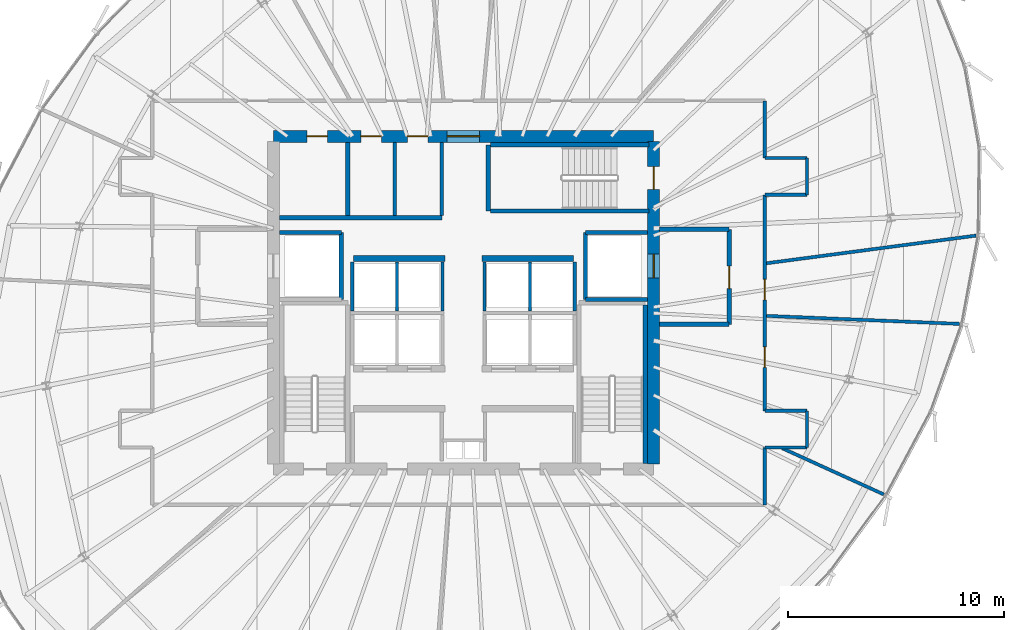
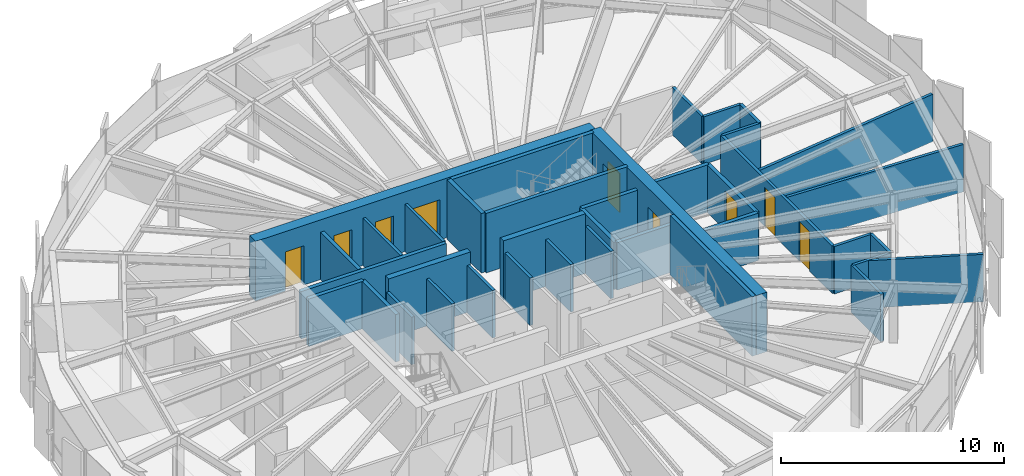
# One storey, part 33 of 37: 38 walls, 9 doors, 9 openings.
"""IFC4 building model written with IfcOpenShell, lengths in metres."""

import ifcopenshell
import ifcopenshell.guid

model = None  # the IFC model being written
_history = None  # IfcOwnerHistory: only IFC2X3 demands one
_inside = {}  # id of a spatial element -> (the spatial element, [elements in it])
_under = {}  # id of a project, library or spatial element -> (it, [spatial elements below it])
_declared = {}  # id of a project -> (the project, [libraries it declares])
_typed = {}  # id of a type object -> (the type object, [elements of that type])
_made_of = {}  # id of a material, layer set ... -> (it, [elements and type objects made of it])


def new_model(schema):
    """Start an empty IFC model of exactly this schema.

    Asked for "IFC4X3", IfcOpenShell would pick the latest addendum, in which some entities
    have other attributes; the version numbers below select the first issue.
    IFC2X3 requires an IfcOwnerHistory on every rooted entity: one is made here for all.
    """
    global model, _history
    if schema == "IFC4X3":
        model = ifcopenshell.file(schema_version=(4, 3, 0, 0))
    else:
        model = ifcopenshell.file(schema=schema)
    _inside.clear()
    _under.clear()
    _declared.clear()
    _typed.clear()
    _made_of.clear()
    _history = None
    if model.schema == "IFC2X3":
        org = make("IfcOrganization", Name="unknown")
        user = make(
            "IfcPersonAndOrganization",
            ThePerson=make("IfcPerson", FamilyName="unknown"),
            TheOrganization=org,
        )
        app = make(
            "IfcApplication",
            ApplicationDeveloper=org,
            Version="unknown",
            ApplicationFullName="unknown",
            ApplicationIdentifier="unknown",
        )
        _history = make(
            "IfcOwnerHistory",
            OwningUser=user,
            OwningApplication=app,
            ChangeAction="ADDED",
            CreationDate=0,
        )
    return model


def make(cls, **values):
    """One entity of the class cls with the attributes given. An attribute that is None is left unset."""
    return model.create_entity(
        cls, **{name: value for name, value in values.items() if value is not None}
    )


def rooted(cls, **values):
    """An entity with a GlobalId (a new one), such as an element, a storey or a relation."""
    return make(cls, GlobalId=ifcopenshell.guid.new(), OwnerHistory=_history, **values)


def si_unit(unit_type, name, prefix=None):
    """IfcSIUnit, for example si_unit("LENGTHUNIT", "METRE", prefix="MILLI")."""
    return make("IfcSIUnit", UnitType=unit_type, Prefix=prefix, Name=name)


def assignment(units):
    """IfcUnitAssignment: the units of a project."""
    return None if units is None else make("IfcUnitAssignment", Units=units)


def point(xyz):
    """IfcCartesianPoint."""
    return None if xyz is None else make("IfcCartesianPoint", Coordinates=xyz)


def direction(xyz):
    """IfcDirection."""
    return None if xyz is None else make("IfcDirection", DirectionRatios=xyz)


def frame(location, z_axis=None, x_axis=None):
    """IfcAxis2Placement3D, a coordinate frame: its origin and axes. An axis left out is left unset."""
    return make(
        "IfcAxis2Placement3D",
        Location=point(location),
        Axis=direction(z_axis),
        RefDirection=direction(x_axis),
    )


def frame_2d(location, x_axis=None):
    """IfcAxis2Placement2D, a coordinate frame in the plane: its origin and x axis."""
    return make(
        "IfcAxis2Placement2D", Location=point(location), RefDirection=direction(x_axis)
    )


def origin():
    """The frame at (0, 0, 0) with its axes left unset."""
    return frame((0.0, 0.0, 0.0))


def place(relative_to, where):
    """IfcLocalPlacement: puts the frame where relative to a parent placement (None: the world)."""
    return make(
        "IfcLocalPlacement", PlacementRelTo=relative_to, RelativePlacement=where
    )


def context(
    kind, dimensions, precision=None, world=None, true_north=None, identifier=None
):
    """IfcGeometricRepresentationContext, for example the 3D "Model" context."""
    return make(
        "IfcGeometricRepresentationContext",
        ContextIdentifier=identifier,
        ContextType=kind,
        CoordinateSpaceDimension=dimensions,
        Precision=precision,
        WorldCoordinateSystem=world,
        TrueNorth=true_north,
    )


def subcontext(parent, identifier, kind, view, scale=None):
    """IfcGeometricRepresentationSubContext, for example "Body" below "Model"."""
    return make(
        "IfcGeometricRepresentationSubContext",
        ContextIdentifier=identifier,
        ContextType=kind,
        ParentContext=parent,
        TargetScale=scale,
        TargetView=view,
    )


def project(units=None, contexts=None):
    """IfcProject with its units and contexts."""
    return rooted(
        "IfcProject",
        Name="project",
        RepresentationContexts=contexts,
        UnitsInContext=assignment(units),
    )


def spatial(cls, under=None, at=None, **own):
    """A site, building, storey or space (cls), placed at a placement, below another one or the project."""
    s = rooted(cls, ObjectPlacement=at, **own)
    if under is not None:
        _under.setdefault(under.id(), (under, []))[1].append(s)
    return s


def profile(cls, at=None, kind="AREA", **sizes):
    """A parametric profile (cls). Its sizes go by their IFC names, for example OverallWidth=200.0."""
    return make(cls, ProfileType=kind, Position=at, **sizes)


def rectangle(**sizes):
    """IfcRectangleProfileDef."""
    return profile("IfcRectangleProfileDef", **sizes)


def extrude(swept, where, along, depth):
    """IfcExtrudedAreaSolid: the profile swept, set in the frame where, extruded along a direction by depth."""
    return make(
        "IfcExtrudedAreaSolid",
        SweptArea=swept,
        Position=where,
        ExtrudedDirection=direction(along),
        Depth=depth,
    )


def shape(context_of_items, identifier, shape_type, items):
    """IfcShapeRepresentation: the items that make up one representation, for example the "Body"."""
    return make(
        "IfcShapeRepresentation",
        ContextOfItems=context_of_items,
        RepresentationIdentifier=identifier,
        RepresentationType=shape_type,
        Items=items,
    )


def source(mapping_origin, context_of_items, identifier, shape_type, items):
    """IfcRepresentationMap: a shape defined once, which mapped items show again and again."""
    return make(
        "IfcRepresentationMap",
        MappingOrigin=mapping_origin,
        MappedRepresentation=shape(context_of_items, identifier, shape_type, items),
    )


def transform(
    local_origin,
    x_axis=None,
    y_axis=None,
    z_axis=None,
    scale=None,
    scale2=None,
    scale3=None,
    uniform=True,
):
    """IfcCartesianTransformationOperator3D, or its non-uniform kind. x_axis, y_axis, z_axis: its Axis1, 2, 3."""
    if uniform:
        return make(
            "IfcCartesianTransformationOperator3D",
            Axis1=direction(x_axis),
            Axis2=direction(y_axis),
            LocalOrigin=point(local_origin),
            Scale=scale,
            Axis3=direction(z_axis),
        )
    return make(
        "IfcCartesianTransformationOperator3DnonUniform",
        Axis1=direction(x_axis),
        Axis2=direction(y_axis),
        LocalOrigin=point(local_origin),
        Scale=scale,
        Axis3=direction(z_axis),
        Scale2=scale2,
        Scale3=scale3,
    )


def mapped(mapping_source, mapping_target):
    """IfcMappedItem: shows the shape of a source again, moved by a transform."""
    return make(
        "IfcMappedItem", MappingSource=mapping_source, MappingTarget=mapping_target
    )


def material(Name=None, Category=None):
    """IfcMaterial."""
    return make("IfcMaterial", Name=Name, Category=Category)


def layer(
    of_material, thickness, ventilated=None, Name=None, Category=None, Priority=None
):
    """IfcMaterialLayer: one layer of a wall or slab, of a material (None: an air gap)."""
    return make(
        "IfcMaterialLayer",
        Material=of_material,
        LayerThickness=thickness,
        IsVentilated=ventilated,
        Name=Name,
        Category=Category,
        Priority=Priority,
    )


def layer_set(layers, Name=None):
    """IfcMaterialLayerSet."""
    return make("IfcMaterialLayerSet", MaterialLayers=layers, LayerSetName=Name)


def made_of(thing, what):
    """Note that an element or type object is made of a material, layer set ...; save() writes the relation."""
    if what is not None:
        _made_of.setdefault(what.id(), (what, []))[1].append(thing)
    return thing


def type_object(cls, material=None, **own):
    """A type object (cls), such as IfcWallType, which elements share."""
    return made_of(rooted(cls, **own), material)


def element(
    cls,
    number,
    at=None,
    inside=None,
    cuts=None,
    type_object=None,
    material=None,
    context=None,
    identifier="Body",
    shape_type=None,
    held_by="IfcProductDefinitionShape",
    body=None,
    shapes=None,
    **own,
):
    """One element of the class cls, such as IfcWall. Its Tag is "e" and its number.

    at: its placement. inside: the storey or other place that contains it. cuts: it is an
    opening in that element (IfcRelVoidsElement). A single representation is given by context,
    identifier, shape_type and body (its items); several are given by shapes. held_by: the class
    of the entity that holds the representations. save() writes the other relations.
    """
    e = rooted(cls, Tag="e%d" % number, ObjectPlacement=at, **own)
    if body is not None:
        shapes = [shape(context, identifier, shape_type, body)]
    if shapes is not None:
        e.Representation = make(held_by, Representations=shapes)
    if inside is not None:
        _inside.setdefault(inside.id(), (inside, []))[1].append(e)
    if cuts is not None:
        rooted(
            "IfcRelVoidsElement", RelatingBuildingElement=cuts, RelatedOpeningElement=e
        )
    if type_object is not None:
        _typed.setdefault(type_object.id(), (type_object, []))[1].append(e)
    return made_of(e, material)


def fill(opening, filler):
    """IfcRelFillsElement: the door or window that sits in an opening."""
    return rooted(
        "IfcRelFillsElement",
        RelatingOpeningElement=opening,
        RelatedBuildingElement=filler,
    )


def aggregate(whole, parts):
    """IfcRelAggregates: a whole, such as a stair, and the parts it consists of."""
    return rooted("IfcRelAggregates", RelatingObject=whole, RelatedObjects=parts)


def save(model, path):
    """Write the relations noted so far, then the file.

    IfcRelAggregates (storeys below a building ...), IfcRelContainedInSpatialStructure (elements
    in a storey), IfcRelDefinesByType, IfcRelAssociatesMaterial and IfcRelDeclares: one each for
    every whole, place, type object, material and project.
    """
    for whole, parts in _under.values():
        aggregate(whole, parts)
    for where, things in _inside.values():
        rooted(
            "IfcRelContainedInSpatialStructure",
            RelatedElements=things,
            RelatingStructure=where,
        )
    for kind, things in _typed.values():
        rooted("IfcRelDefinesByType", RelatedObjects=things, RelatingType=kind)
    for what, things in _made_of.values():
        rooted("IfcRelAssociatesMaterial", RelatedObjects=things, RelatingMaterial=what)
    for by, libraries in _declared.values():
        rooted("IfcRelDeclares", RelatingContext=by, RelatedDefinitions=libraries)
    model.write(path)


model = new_model("IFC4")

# Units and contexts
model_context = context("Model", 3, precision=1e-05, world=origin(), true_north=direction((0.0, 1.0)))
body_context = subcontext(model_context, "Body", "Model", "MODEL_VIEW")
ifc_project = project(units=[si_unit("LENGTHUNIT", "METRE"), si_unit("AREAUNIT", "SQUARE_METRE"), si_unit("VOLUMEUNIT", "CUBIC_METRE"), si_unit("PLANEANGLEUNIT", "RADIAN"), si_unit("MASSUNIT", "GRAM", prefix="KILO"), si_unit("THERMODYNAMICTEMPERATUREUNIT", "KELVIN")], contexts=[model_context])

# Site, building, storey
site_placement = place(None, origin())
site = spatial("IfcSite", under=ifc_project, at=site_placement, CompositionType="ELEMENT")
building_placement = place(site_placement, origin())
building = spatial("IfcBuilding", under=site, at=building_placement, Name="Kethvar Cultural Tower", CompositionType="ELEMENT")
storey_placement = place(building_placement, frame((0.0, 0.0, 200.89990234375)))
storey = spatial("IfcBuildingStorey", under=building, at=storey_placement, Name="L52", CompositionType="ELEMENT", Elevation=200.89990234375)

# Wall, openings, doors
ifc_material_1 = material(Name="Concrete C60/75", Category="concrete")
ifc_layer_1 = layer(ifc_material_1, 0.550048828125, Name="Concrete C60/75", Category="concrete")
ifc_layer_set_1 = layer_set([ifc_layer_1], Name="Concrete C60/75 (550 mm)")
wall_type_1 = type_object("IfcWallType", Name="WL-CORE-550", PredefinedType="SHEAR", material=ifc_layer_set_1)
wall_1_placement = place(storey_placement, frame((55.60009765625, 35.5, 0.0), z_axis=(0.0, 0.0, 1.0), x_axis=(-1.0, 0.0, 0.0)))
wall_1 = element("IfcWall", 1, at=wall_1_placement, inside=storey, type_object=wall_type_1, Name="L52 Core Shear Wall N", PredefinedType="SHEAR", context=body_context, shape_type="SweptSolid", body=[
    extrude(rectangle(XDim=17.60009765625, YDim=0.550048828125, at=frame_2d((8.800048828125, 0.0))), origin(), (0.0, 0.0, 1.0), 3.260009765625),
])
opening_1_placement = place(wall_1_placement, frame((8.050048828125, 0.0, 0.0)))
opening_1 = element("IfcOpeningElement", 2, at=opening_1_placement, cuts=wall_1, Name="Opening D-L52-LN", PredefinedType="OPENING", context=body_context, shape_type="SweptSolid", body=[
    extrude(rectangle(XDim=1.5, YDim=2.199951171875, at=frame_2d((0.75, 1.10009765625))), frame((0.0, 0.284912109375, 0.0), z_axis=(0.0, -1.0, 0.0), x_axis=(1.0, 0.0, 0.0)), (0.0, 0.0, 1.0), 0.570068359375),
])
opening_2_placement = place(wall_1_placement, frame((15.10009765625, 0.0, 0.0)))
opening_2 = element("IfcOpeningElement", 3, at=opening_2_placement, cuts=wall_1, Name="Opening D-L52-E1", PredefinedType="OPENING", context=body_context, shape_type="SweptSolid", body=[
    extrude(rectangle(XDim=0.949951171875, YDim=2.14990234375, at=frame_2d((0.47509765625, 1.074951171875))), frame((0.0, 0.284912109375, 0.0), z_axis=(0.0, -1.0, 0.0), x_axis=(1.0, 0.0, 0.0)), (0.0, 0.0, 1.0), 0.570068359375),
])
opening_3_placement = place(wall_1_placement, frame((12.60009765625, 0.0, 0.0)))
opening_3 = element("IfcOpeningElement", 4, at=opening_3_placement, cuts=wall_1, Name="Opening D-L52-W1", PredefinedType="OPENING", context=body_context, shape_type="SweptSolid", body=[
    extrude(rectangle(XDim=0.949951171875, YDim=2.14990234375, at=frame_2d((0.47509765625, 1.074951171875))), frame((0.0, 0.284912109375, 0.0), z_axis=(0.0, -1.0, 0.0), x_axis=(1.0, 0.0, 0.0)), (0.0, 0.0, 1.0), 0.570068359375),
])
opening_4_placement = place(wall_1_placement, frame((10.449951171875, 0.0, 0.0)))
opening_4 = element("IfcOpeningElement", 5, at=opening_4_placement, cuts=wall_1, Name="Opening D-L52-W2", PredefinedType="OPENING", context=body_context, shape_type="SweptSolid", body=[
    extrude(rectangle(XDim=0.949951171875, YDim=2.14990234375, at=frame_2d((0.47509765625, 1.074951171875))), frame((0.0, 0.284912109375, 0.0), z_axis=(0.0, -1.0, 0.0), x_axis=(1.0, 0.0, 0.0)), (0.0, 0.0, 1.0), 0.570068359375),
])
ifc_material_2 = material(Name="Architectural Oak Timber", Category="wood")
door_type_1 = type_object("IfcDoorType", Name="DR-DBL-FD60-1500", OperationType="DOUBLE_DOOR_SINGLE_SWING", PredefinedType="DOOR", material=ifc_material_2)
shared_shape_1 = source(origin(), body_context, "Body", "SweptSolid", [
    extrude(rectangle(XDim=1.5, YDim=2.199951171875, at=frame_2d((0.75, 1.10009765625))), frame((0.0, 0.02490234375, 0.0), z_axis=(0.0, -1.0, 0.0), x_axis=(1.0, 0.0, 0.0)), (0.0, 0.0, 1.0), 0.050048828125),
])
door_1_placement = place(opening_1_placement, origin())
door_1 = element("IfcDoor", 6, at=door_1_placement, inside=storey, type_object=door_type_1, Name="L52 Lift Lobby Concourse Door", OperationType="DOUBLE_DOOR_SINGLE_SWING", OverallHeight=2.199951171875, OverallWidth=1.5, PredefinedType="DOOR", context=body_context, shape_type="MappedRepresentation", body=[
    mapped(shared_shape_1, transform((0.0, 0.0, 0.0), scale=1.0)),
])
fill(opening_1, door_1)
door_type_2 = type_object("IfcDoorType", Name="DR-FD30-950", OperationType="NOTDEFINED", PredefinedType="DOOR", material=ifc_material_2)
shared_shape_2 = source(origin(), body_context, "Body", "SweptSolid", [
    extrude(rectangle(XDim=0.949951171875, YDim=2.14990234375, at=frame_2d((0.47509765625, 1.074951171875))), frame((0.0, 0.02490234375, 0.0), z_axis=(0.0, -1.0, 0.0), x_axis=(1.0, 0.0, 0.0)), (0.0, 0.0, 1.0), 0.050048828125),
])
door_2_placement = place(opening_2_placement, origin())
door_2 = element("IfcDoor", 7, at=door_2_placement, inside=storey, type_object=door_type_2, Name="L52 Electrical Switchgear Door", OperationType="SINGLE_SWING_RIGHT", OverallHeight=2.14990234375, OverallWidth=0.949951171875, PredefinedType="DOOR", context=body_context, shape_type="MappedRepresentation", body=[
    mapped(shared_shape_2, transform((0.0, 0.0, 0.0), scale=1.0)),
])
fill(opening_2, door_2)
door_3_placement = place(opening_3_placement, origin())
door_3 = element("IfcDoor", 8, at=door_3_placement, inside=storey, type_object=door_type_2, Name="L52 Accessible Washroom Door", OperationType="SINGLE_SWING_LEFT", OverallHeight=2.14990234375, OverallWidth=0.949951171875, PredefinedType="DOOR", context=body_context, shape_type="MappedRepresentation", body=[
    mapped(shared_shape_2, transform((0.0, 0.0, 0.0), scale=1.0)),
])
fill(opening_3, door_3)
door_4_placement = place(opening_4_placement, origin())
door_4 = element("IfcDoor", 9, at=door_4_placement, inside=storey, type_object=door_type_2, Name="L52 Public Washroom Door", OperationType="SINGLE_SWING_RIGHT", OverallHeight=2.14990234375, OverallWidth=0.949951171875, PredefinedType="DOOR", context=body_context, shape_type="MappedRepresentation", body=[
    mapped(shared_shape_2, transform((0.0, 0.0, 0.0), scale=1.0)),
])
fill(opening_4, door_4)

wall_2_placement = place(storey_placement, frame((55.60009765625, 20.340087890625, 0.0), z_axis=(0.0, 0.0, 1.0), x_axis=(0.0, 1.0, 0.0)))
wall_2 = element("IfcWall", 10, at=wall_2_placement, inside=storey, type_object=wall_type_1, Name="L52 Core Shear Wall E", PredefinedType="SHEAR", context=body_context, shape_type="SweptSolid", body=[
    extrude(rectangle(XDim=14.919921875, YDim=0.550048828125, at=frame_2d((7.4599609375, 0.0))), origin(), (0.0, 0.0, 1.0), 3.260009765625),
])
opening_5_placement = place(wall_2_placement, frame((12.7099609375, 0.0, 0.0)))
opening_5 = element("IfcOpeningElement", 11, at=opening_5_placement, cuts=wall_2, Name="Opening D-L52-S3", PredefinedType="OPENING", context=body_context, shape_type="SweptSolid", body=[
    extrude(rectangle(XDim=1.050048828125, YDim=2.14990234375, at=frame_2d((0.52490234375, 1.074951171875))), frame((0.0, 0.284912109375, 0.0), z_axis=(0.0, -1.0, 0.0), x_axis=(1.0, 0.0, 0.0)), (0.0, 0.0, 1.0), 0.570068359375),
])
opening_6_placement = place(wall_2_placement, frame((8.610107421875, 0.0, 0.0)))
opening_6 = element("IfcOpeningElement", 12, at=opening_6_placement, cuts=wall_2, Name="Opening LD-2", PredefinedType="OPENING", context=body_context, shape_type="SweptSolid", body=[
    extrude(rectangle(XDim=1.10009765625, YDim=2.199951171875, at=frame_2d((0.550048828125, 1.10009765625))), frame((0.0, 0.284912109375, 0.0), z_axis=(0.0, -1.0, 0.0), x_axis=(1.0, 0.0, 0.0)), (0.0, 0.0, 1.0), 0.570068359375),
])
ifc_material_3 = material(Name="Steel S355J2", Category="steel")
door_type_3 = type_object("IfcDoorType", Name="DR-FD60-1050", OperationType="NOTDEFINED", PredefinedType="DOOR", material=ifc_material_3)
shared_shape_3 = source(origin(), body_context, "Body", "SweptSolid", [
    extrude(rectangle(XDim=1.050048828125, YDim=2.14990234375, at=frame_2d((0.52490234375, 1.074951171875))), frame((0.0, 0.02490234375, 0.0), z_axis=(0.0, -1.0, 0.0), x_axis=(1.0, 0.0, 0.0)), (0.0, 0.0, 1.0), 0.050048828125),
])
door_5_placement = place(opening_5_placement, origin())
door_5 = element("IfcDoor", 13, at=door_5_placement, inside=storey, type_object=door_type_3, Name="L52 Exit Stair 3 Door", OperationType="SINGLE_SWING_LEFT", OverallHeight=2.14990234375, OverallWidth=1.050048828125, PredefinedType="DOOR", context=body_context, shape_type="MappedRepresentation", body=[
    mapped(shared_shape_3, transform((0.0, 0.0, 0.0), scale=1.0)),
])
fill(opening_5, door_5)
door_type_4 = type_object("IfcDoorType", Name="DR-LIFT-SLIDE-1100", OperationType="NOTDEFINED", PredefinedType="DOOR", material=ifc_material_3)
shared_shape_4 = source(origin(), body_context, "Body", "SweptSolid", [
    extrude(rectangle(XDim=1.10009765625, YDim=2.199951171875, at=frame_2d((0.550048828125, 1.10009765625))), frame((0.0, 0.02490234375, 0.0), z_axis=(0.0, -1.0, 0.0), x_axis=(1.0, 0.0, 0.0)), (0.0, 0.0, 1.0), 0.050048828125),
])
door_6_placement = place(opening_6_placement, origin())
door_6 = element("IfcDoor", 14, at=door_6_placement, inside=storey, type_object=door_type_4, Name="L52 Firefighting Lift Landing Door FFL-02", OperationType="SLIDING_TO_RIGHT", OverallHeight=2.199951171875, OverallWidth=1.10009765625, PredefinedType="DOOR", context=body_context, shape_type="MappedRepresentation", body=[
    mapped(shared_shape_4, transform((0.0, 0.0, 0.0), scale=1.0)),
])
fill(opening_6, door_6)

# Walls
ifc_material_4 = material(Name="Gypsum Fireboard Partition")
ifc_layer_2 = layer(ifc_material_4, 0.14990234375, Name="Gypsum Fireboard Partition")
ifc_layer_set_2 = layer_set([ifc_layer_2], Name="Gypsum Fireboard Partition (150 mm)")
wall_type_2 = type_object("IfcWallType", Name="WL-FIRE-150", PredefinedType="PARTITIONING", material=ifc_layer_set_2)
for number, where, z_axis, x_axis, name in (
    (15, (41.64990234375, 27.409912109375, 0.0), (0.0, 0.0, 1.0), (0.0, 1.0, 0.0), "L52 High-Rise Lift Shaft Outer Wall W"),
    (16, (43.72509765625, 27.409912109375, 0.0), (0.0, 0.0, 1.0), (0.0, 1.0, 0.0), "L52 High-Rise Lift Shaft Divider W"),
    (17, (45.824951171875, 27.409912109375, 0.0), (0.0, 0.0, 1.0), (0.0, 1.0, 0.0), "L52 High-Rise Lift Shaft Concourse Wall W"),
    (18, (47.77490234375, 27.409912109375, 0.0), (0.0, 0.0, 1.0), (0.0, 1.0, 0.0), "L52 High-Rise Lift Shaft Concourse Wall E"),
    (19, (49.875, 27.409912109375, 0.0), (0.0, 0.0, 1.0), (0.0, 1.0, 0.0), "L52 High-Rise Lift Shaft Divider E"),
    (20, (51.949951171875, 27.409912109375, 0.0), (0.0, 0.0, 1.0), (0.0, 1.0, 0.0), "L52 High-Rise Lift Shaft Outer Wall E"),
):
    element("IfcWall", number, at=place(storey_placement, frame(where, z_axis=z_axis, x_axis=x_axis)), inside=storey, type_object=wall_type_2, Name=name, PredefinedType="PARTITIONING", context=body_context, shape_type="SweptSolid", body=[
        extrude(rectangle(XDim=2.27001953125, YDim=0.14990234375, at=frame_2d((1.135009765625, 0.0))), origin(), (0.0, 0.0, 1.0), 2.59521484375),
    ])
wall_3_placement = place(storey_placement, frame((45.800048828125, 31.85009765625, 0.0), z_axis=(0.0, 0.0, 1.0), x_axis=(0.0, 1.0, 0.0)))
element("IfcWall", 21, at=wall_3_placement, inside=storey, type_object=wall_type_2, Name="L52 Sanitary Spine Wall", PredefinedType="PARTITIONING", context=body_context, shape_type="SweptSolid", body=[
    extrude(rectangle(XDim=3.364990234375, YDim=0.14990234375, at=frame_2d((1.6826171875, 0.0))), origin(), (0.0, 0.0, 1.0), 2.59521484375),
])
wall_4_placement = place(storey_placement, frame((60.75, 18.449951171875, 0.0), z_axis=(0.0, 0.0, 1.0), x_axis=(0.0, 1.0, 0.0)))
element("IfcWall", 22, at=wall_4_placement, inside=storey, type_object=wall_type_2, Name="L52 Corridor Rated Wall E1", PredefinedType="PARTITIONING", context=body_context, shape_type="SweptSolid", body=[
    extrude(rectangle(XDim=2.650146484375, YDim=0.14990234375, at=frame_2d((1.3251953125, 0.0))), origin(), (0.0, 0.0, 1.0), 2.59521484375),
])
wall_5_placement = place(storey_placement, frame((60.75, 21.10009765625, 0.0), z_axis=(0.0, 0.0, 1.0), x_axis=(1.0, 0.0, 0.0)))
element("IfcWall", 23, at=wall_5_placement, inside=storey, type_object=wall_type_2, Name="L52 Corridor Rated Wall ESB", PredefinedType="PARTITIONING", context=body_context, shape_type="SweptSolid", body=[
    extrude(rectangle(XDim=1.949951171875, YDim=0.14990234375, at=frame_2d((0.97509765625, 0.0))), origin(), (0.0, 0.0, 1.0), 2.59521484375),
])
wall_6_placement = place(storey_placement, frame((62.699951171875, 21.10009765625, 0.0), z_axis=(0.0, 0.0, 1.0), x_axis=(0.0, 1.0, 0.0)))
element("IfcWall", 24, at=wall_6_placement, inside=storey, type_object=wall_type_2, Name="L52 Corridor Rated Wall ES", PredefinedType="PARTITIONING", context=body_context, shape_type="SweptSolid", body=[
    extrude(rectangle(XDim=1.699951171875, YDim=0.14990234375, at=frame_2d((0.85009765625, 0.0))), origin(), (0.0, 0.0, 1.0), 2.59521484375),
])
wall_7_placement = place(storey_placement, frame((62.699951171875, 22.800048828125, 0.0), z_axis=(0.0, 0.0, 1.0), x_axis=(-1.0, 0.0, 0.0)))
element("IfcWall", 25, at=wall_7_placement, inside=storey, type_object=wall_type_2, Name="L52 Corridor Rated Wall EST", PredefinedType="PARTITIONING", context=body_context, shape_type="SweptSolid", body=[
    extrude(rectangle(XDim=1.949951171875, YDim=0.14990234375, at=frame_2d((0.97509765625, 0.0))), origin(), (0.0, 0.0, 1.0), 2.59521484375),
])

# Wall, openings, doors
wall_8_placement = place(storey_placement, frame((60.75, 22.800048828125, 0.0), z_axis=(0.0, 0.0, 1.0), x_axis=(0.0, 1.0, 0.0)))
wall_8 = element("IfcWall", 26, at=wall_8_placement, inside=storey, type_object=wall_type_2, Name="L52 Corridor Rated Wall EM", PredefinedType="PARTITIONING", context=body_context, shape_type="SweptSolid", body=[
    extrude(rectangle(XDim=10.0, YDim=0.14990234375, at=frame_2d((5.0, 0.0))), origin(), (0.0, 0.0, 1.0), 2.59521484375),
])
opening_7_placement = place(wall_8_placement, frame((2.01318359375, 0.0, 0.0)))
opening_7 = element("IfcOpeningElement", 27, at=opening_7_placement, cuts=wall_8, Name="Opening D-L52-03", PredefinedType="OPENING", context=body_context, shape_type="SweptSolid", body=[
    extrude(rectangle(XDim=0.949951171875, YDim=2.14990234375, at=frame_2d((0.47509765625, 1.074951171875))), frame((0.0, 0.0849609375, 0.0), z_axis=(0.0, -1.0, 0.0), x_axis=(1.0, 0.0, 0.0)), (0.0, 0.0, 1.0), 0.169921875),
])
opening_8_placement = place(wall_8_placement, frame((5.13427734375, 0.0, 0.0)))
opening_8 = element("IfcOpeningElement", 28, at=opening_8_placement, cuts=wall_8, Name="Opening D-L52-04", PredefinedType="OPENING", context=body_context, shape_type="SweptSolid", body=[
    extrude(rectangle(XDim=0.949951171875, YDim=2.14990234375, at=frame_2d((0.47509765625, 1.074951171875))), frame((0.0, 0.0849609375, 0.0), z_axis=(0.0, -1.0, 0.0), x_axis=(1.0, 0.0, 0.0)), (0.0, 0.0, 1.0), 0.169921875),
])
door_7_placement = place(opening_7_placement, origin())
door_7 = element("IfcDoor", 29, at=door_7_placement, inside=storey, type_object=door_type_2, Name="L52 Artifact Conservation Storage 03 Door", OperationType="SINGLE_SWING_LEFT", OverallHeight=2.14990234375, OverallWidth=0.949951171875, PredefinedType="DOOR", context=body_context, shape_type="MappedRepresentation", body=[
    mapped(shared_shape_2, transform((0.0, 0.0, 0.0), scale=1.0)),
])
fill(opening_7, door_7)
door_8_placement = place(opening_8_placement, origin())
door_8 = element("IfcDoor", 30, at=door_8_placement, inside=storey, type_object=door_type_2, Name="L52 Records Closet 04 Door", OperationType="SINGLE_SWING_RIGHT", OverallHeight=2.14990234375, OverallWidth=0.949951171875, PredefinedType="DOOR", context=body_context, shape_type="MappedRepresentation", body=[
    mapped(shared_shape_2, transform((0.0, 0.0, 0.0), scale=1.0)),
])
fill(opening_8, door_8)

# Walls
wall_9_placement = place(storey_placement, frame((60.75, 32.800048828125, 0.0), z_axis=(0.0, 0.0, 1.0), x_axis=(1.0, 0.0, 0.0)))
element("IfcWall", 31, at=wall_9_placement, inside=storey, type_object=wall_type_2, Name="L52 Corridor Rated Wall ENB", PredefinedType="PARTITIONING", context=body_context, shape_type="SweptSolid", body=[
    extrude(rectangle(XDim=1.949951171875, YDim=0.14990234375, at=frame_2d((0.97509765625, 0.0))), origin(), (0.0, 0.0, 1.0), 2.59521484375),
])
wall_10_placement = place(storey_placement, frame((62.699951171875, 32.800048828125, 0.0), z_axis=(0.0, 0.0, 1.0), x_axis=(0.0, 1.0, 0.0)))
element("IfcWall", 32, at=wall_10_placement, inside=storey, type_object=wall_type_2, Name="L52 Corridor Rated Wall EN", PredefinedType="PARTITIONING", context=body_context, shape_type="SweptSolid", body=[
    extrude(rectangle(XDim=1.699951171875, YDim=0.14990234375, at=frame_2d((0.85009765625, 0.0))), origin(), (0.0, 0.0, 1.0), 2.59521484375),
])
wall_11_placement = place(storey_placement, frame((62.699951171875, 34.5, 0.0), z_axis=(0.0, 0.0, 1.0), x_axis=(-1.0, 0.0, 0.0)))
element("IfcWall", 33, at=wall_11_placement, inside=storey, type_object=wall_type_2, Name="L52 Corridor Rated Wall ENT", PredefinedType="PARTITIONING", context=body_context, shape_type="SweptSolid", body=[
    extrude(rectangle(XDim=1.949951171875, YDim=0.14990234375, at=frame_2d((0.97509765625, 0.0))), origin(), (0.0, 0.0, 1.0), 2.59521484375),
])
wall_12_placement = place(storey_placement, frame((60.75, 34.5, 0.0), z_axis=(0.0, 0.0, 1.0), x_axis=(0.0, 1.0, 0.0)))
element("IfcWall", 34, at=wall_12_placement, inside=storey, type_object=wall_type_2, Name="L52 Corridor Rated Wall E2", PredefinedType="PARTITIONING", context=body_context, shape_type="SweptSolid", body=[
    extrude(rectangle(XDim=2.64990234375, YDim=0.14990234375, at=frame_2d((1.324951171875, 0.0))), origin(), (0.0, 0.0, 1.0), 2.59521484375),
])
ifc_material_5 = material(Name="Concrete C40/50", Category="concrete")
ifc_layer_3 = layer(ifc_material_5, 0.199951171875, Name="Concrete C40/50", Category="concrete")
ifc_layer_set_3 = layer_set([ifc_layer_3], Name="Concrete C40/50 (200 mm)")
wall_type_3 = type_object("IfcWallType", Name="WL-FIRE-200", PredefinedType="PARTITIONING", material=ifc_layer_set_3)
wall_13_placement = place(storey_placement, frame((41.14990234375, 27.949951171875, 0.0), z_axis=(0.0, 0.0, 1.0), x_axis=(0.0, 1.0, 0.0)))
element("IfcWall", 35, at=wall_13_placement, inside=storey, type_object=wall_type_3, Name="L52 FFL-01 Shaft Inner Wall", PredefinedType="PARTITIONING", context=body_context, shape_type="SweptSolid", body=[
    extrude(rectangle(XDim=3.10009765625, YDim=0.199951171875, at=frame_2d((1.550048828125, 0.0))), origin(), (0.0, 0.0, 1.0), 2.59521484375),
])
wall_14_placement = place(storey_placement, frame((38.284912109375, 31.050048828125, 0.0), z_axis=(0.0, 0.0, 1.0), x_axis=(1.0, 0.0, 0.0)))
element("IfcWall", 36, at=wall_14_placement, inside=storey, type_object=wall_type_3, Name="L52 FFL-01 Shaft North Wall", PredefinedType="PARTITIONING", context=body_context, shape_type="SweptSolid", body=[
    extrude(rectangle(XDim=2.864990234375, YDim=0.199951171875, at=frame_2d((1.4326171875, 0.0))), origin(), (0.0, 0.0, 1.0), 2.59521484375),
])
wall_15_placement = place(storey_placement, frame((52.449951171875, 27.949951171875, 0.0), z_axis=(0.0, 0.0, 1.0), x_axis=(0.0, 1.0, 0.0)))
element("IfcWall", 37, at=wall_15_placement, inside=storey, type_object=wall_type_3, Name="L52 FFL-02 Shaft Inner Wall", PredefinedType="PARTITIONING", context=body_context, shape_type="SweptSolid", body=[
    extrude(rectangle(XDim=3.10009765625, YDim=0.199951171875, at=frame_2d((1.550048828125, 0.0))), origin(), (0.0, 0.0, 1.0), 2.59521484375),
])
for number, where, z_axis, x_axis, name in (
    (38, (52.449951171875, 27.949951171875, 0.0), (0.0, 0.0, 1.0), (1.0, 0.0, 0.0), "L52 FFL-02 Shaft South Wall"),
    (39, (52.449951171875, 31.050048828125, 0.0), (0.0, 0.0, 1.0), (1.0, 0.0, 0.0), "L52 FFL-02 Shaft North Wall"),
):
    element("IfcWall", number, at=place(storey_placement, frame(where, z_axis=z_axis, x_axis=x_axis)), inside=storey, type_object=wall_type_3, Name=name, PredefinedType="PARTITIONING", context=body_context, shape_type="SweptSolid", body=[
        extrude(rectangle(XDim=2.864990234375, YDim=0.199951171875, at=frame_2d((1.4326171875, 0.0))), origin(), (0.0, 0.0, 1.0), 2.59521484375),
    ])

# Wall, opening, door
wall_16_placement = place(storey_placement, frame((59.10009765625, 26.800048828125, 0.0), z_axis=(0.0, 0.0, 1.0), x_axis=(0.0, 1.0, 0.0)))
wall_16 = element("IfcWall", 40, at=wall_16_placement, inside=storey, type_object=wall_type_3, Name="L52 Firefighting Lobby 2 Wall", PredefinedType="PARTITIONING", context=body_context, shape_type="SweptSolid", body=[
    extrude(rectangle(XDim=4.39990234375, YDim=0.199951171875, at=frame_2d((2.199951171875, 0.0))), origin(), (0.0, 0.0, 1.0), 2.59521484375),
])
opening_9_placement = place(wall_16_placement, frame((1.64990234375, 0.0, 0.0)))
opening_9 = element("IfcOpeningElement", 41, at=opening_9_placement, cuts=wall_16, Name="Opening D-L52-F2", PredefinedType="OPENING", context=body_context, shape_type="SweptSolid", body=[
    extrude(rectangle(XDim=1.050048828125, YDim=2.14990234375, at=frame_2d((0.52490234375, 1.074951171875))), frame((0.0, 0.10986328125, 0.0), z_axis=(0.0, -1.0, 0.0), x_axis=(1.0, 0.0, 0.0)), (0.0, 0.0, 1.0), 0.219970703125),
])
door_9_placement = place(opening_9_placement, origin())
door_9 = element("IfcDoor", 42, at=door_9_placement, inside=storey, type_object=door_type_3, Name="L52 Firefighting Lobby 2 Fire Door", OperationType="SINGLE_SWING_LEFT", OverallHeight=2.14990234375, OverallWidth=1.050048828125, PredefinedType="DOOR", context=body_context, shape_type="MappedRepresentation", body=[
    mapped(shared_shape_3, transform((0.0, 0.0, 0.0), scale=1.0)),
])
fill(opening_9, door_9)

# Walls
for number, where, z_axis, x_axis, name in (
    (43, (55.885009765625, 26.800048828125, 0.0), (0.0, 0.0, 1.0), (1.0, 0.0, 0.0), "L52 FF Lobby 2 South Wall"),
    (44, (55.885009765625, 31.199951171875, 0.0), (0.0, 0.0, 1.0), (1.0, 0.0, 0.0), "L52 FF Lobby 2 North Wall"),
):
    element("IfcWall", number, at=place(storey_placement, frame(where, z_axis=z_axis, x_axis=x_axis)), inside=storey, type_object=wall_type_3, Name=name, PredefinedType="PARTITIONING", context=body_context, shape_type="SweptSolid", body=[
        extrude(rectangle(XDim=3.215087890625, YDim=0.199951171875, at=frame_2d((1.607421875, 0.0))), origin(), (0.0, 0.0, 1.0), 2.59521484375),
    ])
wall_17_placement = place(storey_placement, frame((41.449951171875, 31.85009765625, 0.0), z_axis=(0.0, 0.0, 1.0), x_axis=(0.0, 1.0, 0.0)))
element("IfcWall", 45, at=wall_17_placement, inside=storey, type_object=wall_type_3, Name="L52 NW Core Pocket Wall", PredefinedType="PARTITIONING", context=body_context, shape_type="SweptSolid", body=[
    extrude(rectangle(XDim=3.364990234375, YDim=0.199951171875, at=frame_2d((1.6826171875, 0.0))), origin(), (0.0, 0.0, 1.0), 2.59521484375),
])
wall_18_placement = place(storey_placement, frame((38.284912109375, 31.72998046875, 0.0), z_axis=(0.0, 0.0, 1.0), x_axis=(1.0, 0.0, 0.0)))
element("IfcWall", 46, at=wall_18_placement, inside=storey, type_object=wall_type_3, Name="L52 North Core Sanitary South Wall", PredefinedType="PARTITIONING", context=body_context, shape_type="SweptSolid", body=[
    extrude(rectangle(XDim=7.51513671875, YDim=0.199951171875, at=frame_2d((3.757568359375, 0.0))), origin(), (0.0, 0.0, 1.0), 2.59521484375),
])
ifc_material_6 = material(Name="Gypsum Acoustic Partition")
ifc_layer_4 = layer(ifc_material_6, 0.14990234375, Name="Gypsum Acoustic Partition")
ifc_layer_set_4 = layer_set([ifc_layer_4], Name="Gypsum Acoustic Partition (150 mm)")
wall_type_4 = type_object("IfcWallType", Name="WL-PART-150", PredefinedType="PARTITIONING", material=ifc_layer_set_4)
wall_19_placement = place(storey_placement, frame((61.556396484375, 21.06689453125, 0.0), z_axis=(0.0, 0.0, 1.0), x_axis=(0.910308185416, -0.413931162833, 0.0)))
element("IfcWall", 47, at=wall_19_placement, inside=storey, type_object=wall_type_4, Name="L52 Radial Partition Wall 03", PredefinedType="PARTITIONING", context=body_context, shape_type="SweptSolid", body=[
    extrude(rectangle(XDim=5.164306640625, YDim=0.14990234375, at=frame_2d((2.58203125, 0.0))), origin(), (0.0, 0.0, 1.0), 2.59521484375),
])
wall_20_placement = place(storey_placement, frame((60.829833984375, 27.193603515625, 0.0), z_axis=(0.0, 0.0, 1.0), x_axis=(0.999138838982, -0.041491932211, 0.0)))
element("IfcWall", 48, at=wall_20_placement, inside=storey, type_object=wall_type_4, Name="L52 Radial Partition Wall 04", PredefinedType="PARTITIONING", context=body_context, shape_type="SweptSolid", body=[
    extrude(rectangle(XDim=8.93798828125, YDim=0.14990234375, at=frame_2d((4.468994140625, 0.0))), origin(), (0.0, 0.0, 1.0), 2.59521484375),
])
wall_21_placement = place(storey_placement, frame((60.829345703125, 29.629638671875, 0.0), z_axis=(0.0, 0.0, 1.0), x_axis=(0.991403406957, 0.130840684324, 0.0)))
element("IfcWall", 49, at=wall_21_placement, inside=storey, type_object=wall_type_4, Name="L52 Radial Partition Wall 05", PredefinedType="PARTITIONING", context=body_context, shape_type="SweptSolid", body=[
    extrude(rectangle(XDim=9.779296875, YDim=0.14990234375, at=frame_2d((4.8896484375, 0.0))), origin(), (0.0, 0.0, 1.0), 2.59521484375),
])
ifc_material_7 = material(Name="Moisture-Resistant Sanitary Chase Wall")
ifc_layer_5 = layer(ifc_material_7, 0.14990234375, Name="Moisture-Resistant Sanitary Chase Wall")
ifc_layer_set_5 = layer_set([ifc_layer_5], Name="Moisture-Resistant Sanitary Chase Wall (150 mm)")
wall_type_5 = type_object("IfcWallType", Name="WL-PLUMB-150", PredefinedType="PLUMBINGWALL", material=ifc_layer_set_5)
wall_22_placement = place(storey_placement, frame((43.6201171875, 31.85009765625, 0.0), z_axis=(0.0, 0.0, 1.0), x_axis=(0.0, 1.0, 0.0)))
element("IfcWall", 50, at=wall_22_placement, inside=storey, type_object=wall_type_5, Name="L52 Sanitary Plumbing Wall", PredefinedType="PLUMBINGWALL", context=body_context, shape_type="SweptSolid", body=[
    extrude(rectangle(XDim=3.364990234375, YDim=0.14990234375, at=frame_2d((1.6826171875, 0.0))), origin(), (0.0, 0.0, 1.0), 2.59521484375),
])
ifc_material_8 = material(Name="Concrete C50/60", Category="concrete")
ifc_layer_6 = layer(ifc_material_8, 0.300048828125, Name="Concrete C50/60", Category="concrete")
ifc_layer_set_6 = layer_set([ifc_layer_6], Name="Concrete C50/60 (300 mm)")
wall_type_6 = type_object("IfcWallType", Name="WL-SHAFT-300", PredefinedType="SHEAR", material=ifc_layer_set_6)
for number, where, z_axis, x_axis, name in (
    (51, (41.699951171875, 29.85009765625, 0.0), (0.0, 0.0, 1.0), (1.0, 0.0, 0.0), "L52 Core Lift Spine Wall MID3W"),
    (52, (47.64990234375, 29.85009765625, 0.0), (0.0, 0.0, 1.0), (1.0, 0.0, 0.0), "L52 Core Lift Spine Wall MID3E"),
):
    element("IfcWall", number, at=place(storey_placement, frame(where, z_axis=z_axis, x_axis=x_axis)), inside=storey, type_object=wall_type_6, Name=name, PredefinedType="SHEAR", context=body_context, shape_type="SweptSolid", body=[
        extrude(rectangle(XDim=4.25, YDim=0.300048828125, at=frame_2d((2.125, 0.0))), origin(), (0.0, 0.0, 1.0), 3.260009765625),
    ])
ifc_layer_7 = layer(ifc_material_8, 0.199951171875, Name="Concrete C50/60", Category="concrete")
ifc_layer_set_7 = layer_set([ifc_layer_7], Name="Concrete C50/60 (200 mm)")
wall_type_7 = type_object("IfcWallType", Name="WL-STSHAFT-200", PredefinedType="SHEAR", material=ifc_layer_set_7)
wall_23_placement = place(storey_placement, frame((55.2099609375, 27.699951171875, 0.0), z_axis=(0.0, 0.0, 1.0), x_axis=(0.0, -1.0, 0.0)))
element("IfcWall", 53, at=wall_23_placement, inside=storey, type_object=wall_type_7, Name="L52 ST-02 Stair Shaft Wall LEFT", PredefinedType="SHEAR", context=body_context, shape_type="SweptSolid", body=[
    extrude(rectangle(XDim=7.349853515625, YDim=0.199951171875, at=frame_2d((3.6748046875, 0.0))), origin(), (0.0, 0.0, 1.0), 3.260009765625),
])
wall_24_placement = place(storey_placement, frame((47.949951171875, 32.050048828125, 0.0), z_axis=(0.0, 0.0, 1.0), x_axis=(0.0, 1.0, 0.0)))
element("IfcWall", 54, at=wall_24_placement, inside=storey, type_object=wall_type_7, Name="L52 ST-03 Stair Shaft Wall FAR", PredefinedType="SHEAR", context=body_context, shape_type="SweptSolid", body=[
    extrude(rectangle(XDim=3.06005859375, YDim=0.199951171875, at=frame_2d((1.530029296875, 0.0))), origin(), (0.0, 0.0, 1.0), 3.260009765625),
])
for number, where, z_axis, x_axis, name in (
    (55, (48.050048828125, 35.110107421875, 0.0), (0.0, 0.0, 1.0), (1.0, 0.0, 0.0), "L52 ST-03 Stair Shaft Wall LEFT"),
    (56, (55.39990234375, 32.050048828125, 0.0), (0.0, 0.0, 1.0), (-1.0, 0.0, 0.0), "L52 ST-03 Stair Shaft Wall RIGHT"),
):
    element("IfcWall", number, at=place(storey_placement, frame(where, z_axis=z_axis, x_axis=x_axis)), inside=storey, type_object=wall_type_7, Name=name, PredefinedType="SHEAR", context=body_context, shape_type="SweptSolid", body=[
        extrude(rectangle(XDim=7.349853515625, YDim=0.199951171875, at=frame_2d((3.6748046875, 0.0))), origin(), (0.0, 0.0, 1.0), 3.260009765625),
    ])

save(model, "model.ifc")
